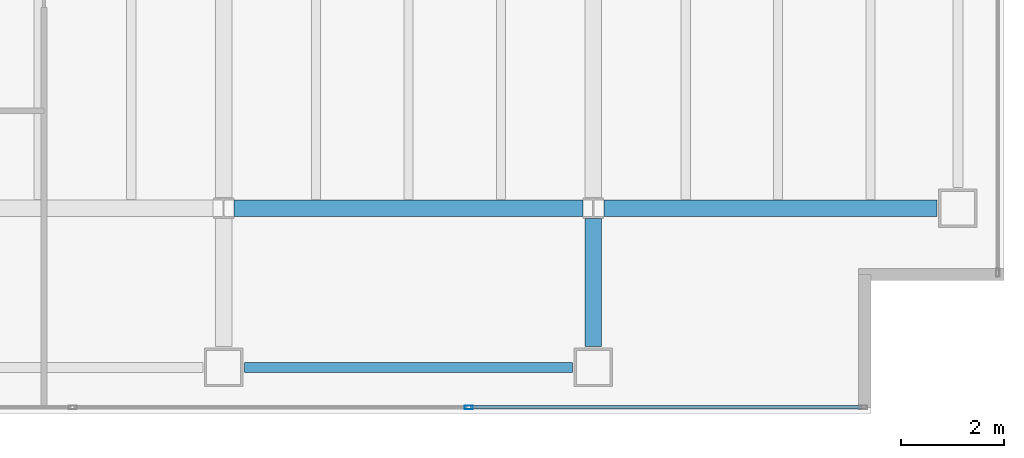
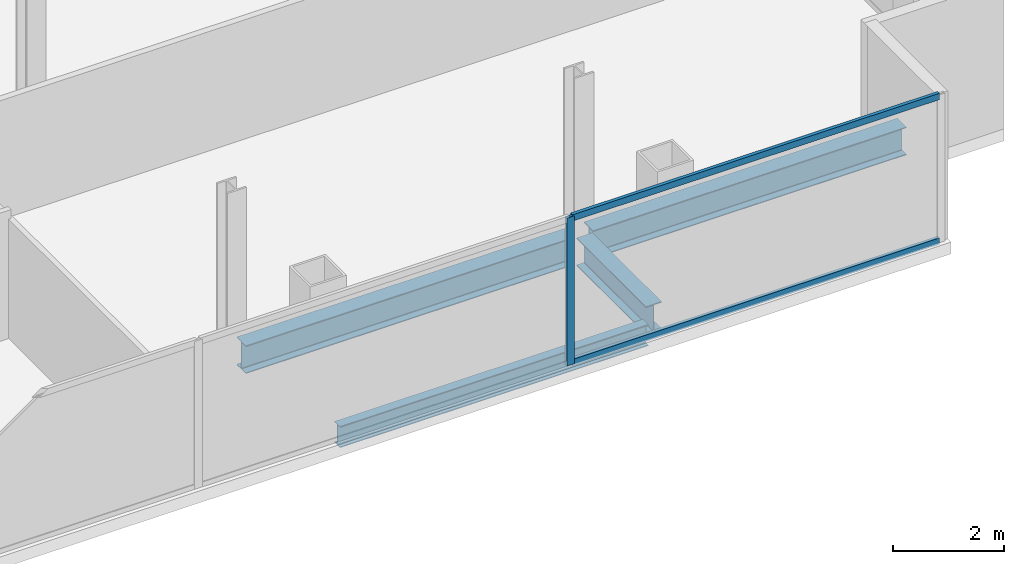
# One storey, part 10 of 23: 4 beams, 3 members, 1 element without a shape of its own.
"""IFC4 building model written with IfcOpenShell, lengths in metres."""

from ifc_helpers import new_model, si_unit, direction, frame, origin, origin_2d, place, context, subcontext, project, spatial, hollow_rectangle, i_section, extrude, material, material_profile, profile_set, type_object, element, aggregate, save


model = new_model("IFC4")

# Units and contexts
model_context = context("Model", 3, precision=1e-05, world=origin(), true_north=direction((0.0, 1.0)))
body_context = subcontext(model_context, "Body", "Model", "MODEL_VIEW")
ifc_project = project(units=[si_unit("LENGTHUNIT", "METRE"), si_unit("AREAUNIT", "SQUARE_METRE"), si_unit("VOLUMEUNIT", "CUBIC_METRE"), si_unit("PLANEANGLEUNIT", "RADIAN"), si_unit("MASSUNIT", "GRAM", prefix="KILO")], contexts=[model_context])

# Site, building, storey
site_placement = place(None, origin())
site = spatial("IfcSite", under=ifc_project, at=site_placement, CompositionType="ELEMENT")
building_placement = place(site_placement, origin())
building = spatial("IfcBuilding", under=site, at=building_placement, Name="Cobrela Telecom Tower", CompositionType="ELEMENT")
storey_placement = place(building_placement, frame((0.0, 0.0, 201.25)))
storey = spatial("IfcBuildingStorey", under=building, at=storey_placement, Name="L51", CompositionType="ELEMENT", Elevation=201.25)

# Beams
ifc_material_1 = material(Name="Steel ASTM A992 Grade 50", Category="steel")
ifc_material_profile_1 = material_profile(ifc_material_1, i_section(OverallWidth=0.324951171875, OverallDepth=0.612060546875, WebThickness=0.0126953125, FlangeThickness=0.01904296875, FilletRadius=0.014892578125, at=origin_2d()), Name="W24X104")
ifc_profile_set_1 = profile_set([ifc_material_profile_1], Name="Steel ASTM A992 Grade 50")
beam_type_1 = type_object("IfcBeamType", Name="BM-GIRD-07", PredefinedType="USERDEFINED", material=ifc_profile_set_1)
beam_1_placement = place(storey_placement, frame((29.00439453125, 7.199951171875, -0.56591796875), z_axis=(1.0, 0.0, 0.0), x_axis=(0.0, 1.0, 0.0)))
element("IfcBeam", 1, at=beam_1_placement, inside=storey, type_object=beam_type_1, Name="L51 Primary Girder X09", ObjectType="GIRDER", PredefinedType="USERDEFINED", context=body_context, shape_type="SweptSolid", body=[
    extrude(i_section(OverallWidth=0.324951171875, OverallDepth=0.612060546875, WebThickness=0.0126953125, FlangeThickness=0.01904296875, FilletRadius=0.014892578125, at=origin_2d()), origin(), (0.0, 0.0, 1.0), 6.791015625),
])
beam_2_placement = place(storey_placement, frame((36.20458984375, 7.199951171875, -0.56591796875), z_axis=(1.0, 0.0, 0.0), x_axis=(0.0, 1.0, 0.0)))
element("IfcBeam", 2, at=beam_2_placement, inside=storey, type_object=beam_type_1, Name="L51 Primary Girder X10", ObjectType="GIRDER", PredefinedType="USERDEFINED", context=body_context, shape_type="SweptSolid", body=[
    extrude(i_section(OverallWidth=0.324951171875, OverallDepth=0.612060546875, WebThickness=0.0126953125, FlangeThickness=0.01904296875, FilletRadius=0.014892578125, at=origin_2d()), origin(), (0.0, 0.0, 1.0), 6.490478515625),
])
beam_3_placement = place(storey_placement, frame((36.0, 4.5048828125, -0.56591796875), z_axis=(0.0, 1.0, 0.0), x_axis=(-1.0, 0.0, 0.0)))
element("IfcBeam", 3, at=beam_3_placement, inside=storey, type_object=beam_type_1, Name="L51 Primary Girder Y39", ObjectType="GIRDER", PredefinedType="USERDEFINED", context=body_context, shape_type="SweptSolid", body=[
    extrude(i_section(OverallWidth=0.324951171875, OverallDepth=0.612060546875, WebThickness=0.0126953125, FlangeThickness=0.01904296875, FilletRadius=0.014892578125, at=origin_2d()), origin(), (0.0, 0.0, 1.0), 2.49072265625),
])
ifc_material_profile_2 = material_profile(ifc_material_1, i_section(OverallWidth=0.193115234375, OverallDepth=0.467041015625, WebThickness=0.011474609375, FlangeThickness=0.01904296875, FilletRadius=0.012939453125, at=origin_2d()), Name="W18X65")
ifc_profile_set_2 = profile_set([ifc_material_profile_2], Name="Steel ASTM A992 Grade 50")
beam_type_2 = type_object("IfcBeamType", Name="BM-SPAND-05", PredefinedType="SPANDREL", material=ifc_profile_set_2)
beam_4_placement = place(storey_placement, frame((29.205078125, 4.10009765625, -0.493408203125), z_axis=(1.0, 0.0, 0.0), x_axis=(0.0, 1.0, 0.0)))
element("IfcBeam", 4, at=beam_4_placement, inside=storey, type_object=beam_type_2, Name="L51 Perimeter Spandrel X04", PredefinedType="SPANDREL", context=body_context, shape_type="SweptSolid", body=[
    extrude(i_section(OverallWidth=0.193115234375, OverallDepth=0.467041015625, WebThickness=0.011474609375, FlangeThickness=0.01904296875, FilletRadius=0.012939453125, at=origin_2d()), origin(), (0.0, 0.0, 1.0), 6.389892578125),
])

# Curtain wall, members
ifc_material_2 = material(Name="Anodized Bronze Aluminium 6063-T6", Category="aluminium")
curtain_wall_type = type_object("IfcCurtainWallType", Name="CW-SYS-OFF-LO", PredefinedType="USERDEFINED", material=ifc_material_2)
curtain_wall_placement = place(storey_placement, origin())
curtain_wall = element("IfcCurtainWall", 5, at=curtain_wall_placement, inside=storey, type_object=curtain_wall_type, Name="L51 Unitised Bronze Curtain Wall 17", ObjectType="UNITISED CURTAIN WALL", PredefinedType="USERDEFINED")
ifc_material_profile_3 = material_profile(ifc_material_2, hollow_rectangle(XDim=0.070068359375, YDim=0.159912109375, WallThickness=0.00390625, at=origin_2d()), Name="ALU 70x160x4")
ifc_profile_set_3 = profile_set([ifc_material_profile_3], Name="Anodized Bronze Aluminium 6063-T6")
member_type_1 = type_object("IfcMemberType", Name="CW-SYS-OFF-LO-MUL", PredefinedType="MULLION", material=ifc_profile_set_3)
member_1_placement = place(storey_placement, frame((33.573974609375, 3.320068359375, 0.0), z_axis=(0.0, 0.0, 1.0), x_axis=(0.0, -1.0, 0.0)))
member_1 = element("IfcMember", 6, at=member_1_placement, type_object=member_type_1, Name="CW-OFF-LO mullion 2", PredefinedType="MULLION", context=body_context, shape_type="SweptSolid", body=[
    extrude(hollow_rectangle(XDim=0.070068359375, YDim=0.159912109375, WallThickness=0.00390625, at=origin_2d()), origin(), (0.0, 0.0, 1.0), 3.239990234375),
])
ifc_material_profile_4 = material_profile(ifc_material_2, hollow_rectangle(XDim=0.070068359375, YDim=0.139892578125, WallThickness=0.00390625, at=origin_2d()), Name="ALU 70x140x4")
ifc_profile_set_4 = profile_set([ifc_material_profile_4], Name="Anodized Bronze Aluminium 6063-T6")
member_type_2 = type_object("IfcMemberType", Name="CW-SYS-OFF-LO-TRN", PredefinedType="USERDEFINED", material=ifc_profile_set_4)
member_2_placement = place(storey_placement, frame((41.219970703125, 3.320068359375, 0.034912109375), z_axis=(-1.0, 0.0, 0.0), x_axis=(0.0, -1.0, 0.0)))
member_2 = element("IfcMember", 7, at=member_2_placement, type_object=member_type_2, Name="CW-OFF-LO transom 1.1", ObjectType="TRANSOM", PredefinedType="USERDEFINED", context=body_context, shape_type="SweptSolid", body=[
    extrude(hollow_rectangle(XDim=0.070068359375, YDim=0.139892578125, WallThickness=0.00390625, at=origin_2d()), origin(), (0.0, 0.0, 1.0), 7.611083984375),
])
member_3_placement = place(storey_placement, frame((41.219970703125, 3.320068359375, 3.205078125), z_axis=(-1.0, 0.0, 0.0), x_axis=(0.0, -1.0, 0.0)))
member_3 = element("IfcMember", 8, at=member_3_placement, type_object=member_type_2, Name="CW-OFF-LO transom 1.2", ObjectType="TRANSOM", PredefinedType="USERDEFINED", context=body_context, shape_type="SweptSolid", body=[
    extrude(hollow_rectangle(XDim=0.070068359375, YDim=0.139892578125, WallThickness=0.00390625, at=origin_2d()), origin(), (0.0, 0.0, 1.0), 7.611083984375),
])
aggregate(curtain_wall, [member_1, member_2, member_3])

save(model, "model.ifc")
